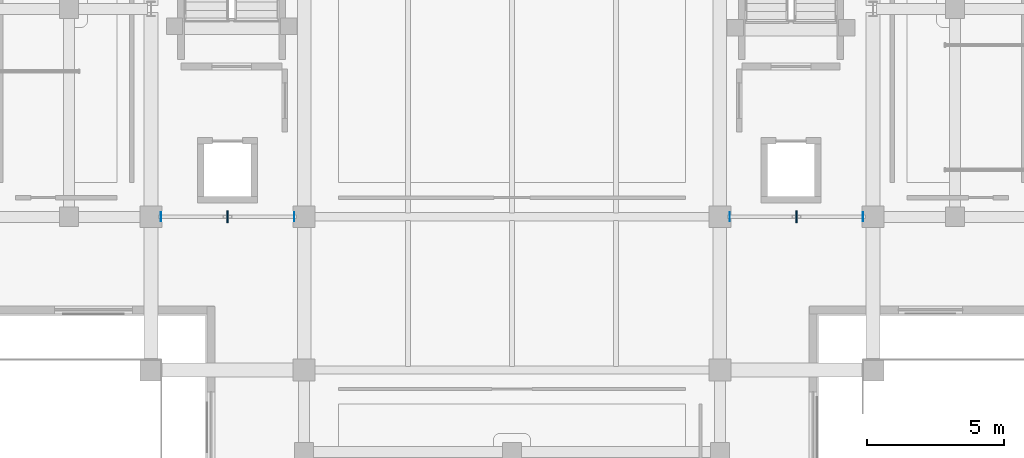
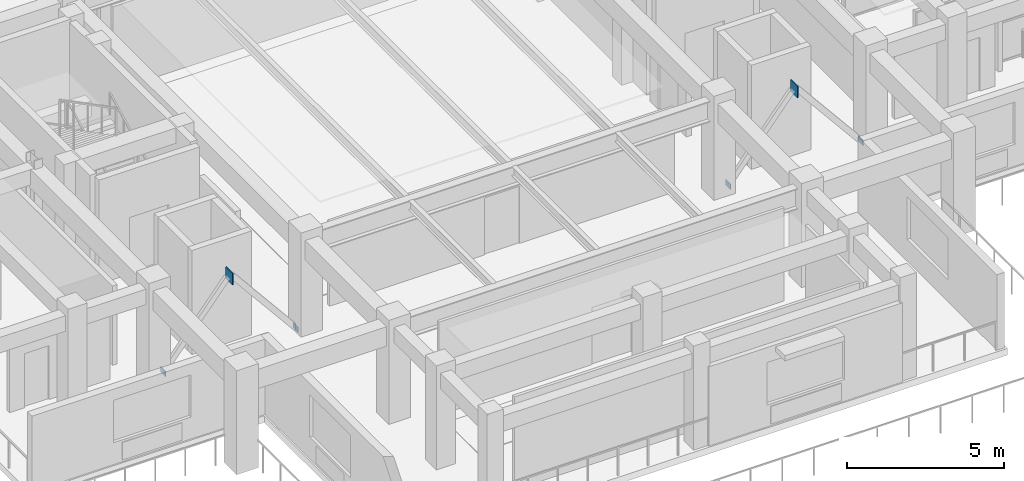
# One storey, part 45 of 72: 6 plates.
"""IFC4 building model written with IfcOpenShell, lengths in metres."""

from ifc_helpers import new_model, si_unit, direction, frame, origin, origin_2d, place, context, subcontext, project, spatial, rectangle, extrude, material, layer, layer_set, type_object, element, save


model = new_model("IFC4")

# Units and contexts
model_context = context("Model", 3, precision=1e-05, world=origin(), true_north=direction((0.0, 1.0)))
body_context = subcontext(model_context, "Body", "Model", "MODEL_VIEW")
ifc_project = project(units=[si_unit("LENGTHUNIT", "METRE"), si_unit("AREAUNIT", "SQUARE_METRE"), si_unit("VOLUMEUNIT", "CUBIC_METRE"), si_unit("PLANEANGLEUNIT", "RADIAN"), si_unit("MASSUNIT", "GRAM", prefix="KILO")], contexts=[model_context])

# Site, building, storey
site_placement = place(None, origin())
site = spatial("IfcSite", under=ifc_project, at=site_placement, CompositionType="ELEMENT")
building_placement = place(site_placement, origin())
building = spatial("IfcBuilding", under=site, at=building_placement, Name="Saryqyr Civic Hall", CompositionType="ELEMENT")
storey_placement = place(building_placement, frame((0.0, 0.0, 17.25)))
storey = spatial("IfcBuildingStorey", under=building, at=storey_placement, Name="L04", CompositionType="ELEMENT", Elevation=17.25)

# Plates
ifc_material = material(Name="Steel S355", Category="steel")
ifc_layer_1 = layer(ifc_material, 0.01611328125, Name="Steel S355")
ifc_layer_set_1 = layer_set([ifc_layer_1], Name="Steel S355")
plate_type_1 = type_object("IfcPlateType", Name="STR-PLT-CAP16", PredefinedType="USERDEFINED", material=ifc_layer_set_1)
for number, where, z_axis, x_axis, name in (
    (1, (44.159912109375, 76.39990234375, 0.01025390625), (0.0, 0.0, 1.0), (1.0, 0.0, 0.0), "Hollow section end cap V1-BRCAP-1A0-L04"),
    (2, (49.0400390625, 76.39990234375, 0.01025390625), (0.0, 0.0, 1.0), (1.0, 0.0, 0.0), "Hollow section end cap V1-BRCAP-1B0-L04"),
    (3, (64.9599609375, 76.39990234375, 0.01025390625), (0.0, 0.0, 1.0), (1.0, 0.0, 0.0), "Hollow section end cap V1-BRCAP-2A0-L04"),
    (4, (69.840087890625, 76.39990234375, 0.01025390625), (0.0, 0.0, 1.0), (1.0, 0.0, 0.0), "Hollow section end cap V1-BRCAP-2B0-L04"),
):
    element("IfcPlate", number, at=place(storey_placement, frame(where, z_axis=z_axis, x_axis=x_axis)), inside=storey, type_object=plate_type_1, Name=name, ObjectType="FLANGE_PLATE", PredefinedType="USERDEFINED", context=body_context, shape_type="SweptSolid", body=[
        extrude(rectangle(XDim=0.01611328125, YDim=0.320068359375, at=origin_2d()), origin(), (0.0, 0.0, 1.0), 0.219970703125),
    ])
ifc_layer_2 = layer(ifc_material, 0.0400390625, Name="Steel S355")
ifc_layer_set_2 = layer_set([ifc_layer_2], Name="Steel S355")
plate_type_2 = type_object("IfcPlateType", Name="STR-PLT-GUS40", PredefinedType="USERDEFINED", material=ifc_layer_set_2)
for number, where, z_axis, x_axis, name in (
    (5, (46.60009765625, 76.39990234375, 2.77001953125), (0.0, 0.0, 1.0), (1.0, 0.0, 0.0), "Hollow section end cap V1-BRGUS-1-L04"),
    (6, (67.39990234375, 76.39990234375, 2.77001953125), (0.0, 0.0, 1.0), (1.0, 0.0, 0.0), "Hollow section end cap V1-BRGUS-2-L04"),
):
    element("IfcPlate", number, at=place(storey_placement, frame(where, z_axis=z_axis, x_axis=x_axis)), inside=storey, type_object=plate_type_2, Name=name, ObjectType="FLANGE_PLATE", PredefinedType="USERDEFINED", context=body_context, shape_type="SweptSolid", body=[
        extrude(rectangle(XDim=0.0400390625, YDim=0.43994140625, at=origin_2d()), origin(), (0.0, 0.0, 1.0), 0.43994140625),
    ])

save(model, "model.ifc")
